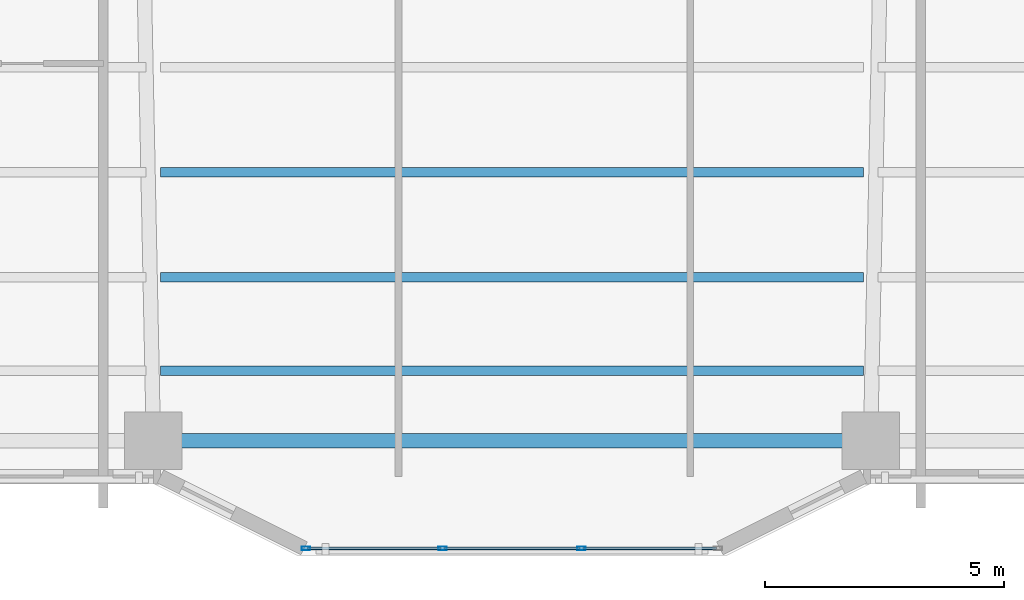
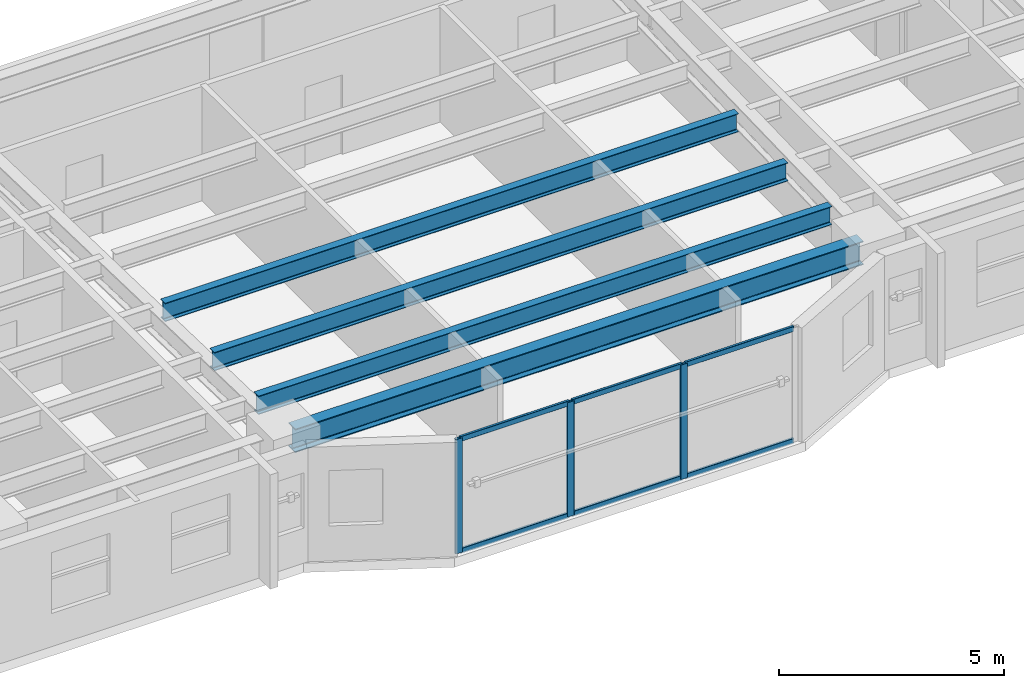
# One storey, part 2 of 20: 9 members, 4 beams, 1 element without a shape of its own.
"""IFC4 building model written with IfcOpenShell, lengths in metres."""

from ifc_helpers import new_model, si_unit, direction, frame, origin, origin_2d, place, context, subcontext, project, spatial, hollow_rectangle, i_section, extrude, material, layer, layer_set, material_profile, profile_set, type_object, element, aggregate, save


model = new_model("IFC4")

# Units and contexts
model_context = context("Model", 3, precision=1e-05, world=origin(), true_north=direction((0.0, 1.0)))
body_context = subcontext(model_context, "Body", "Model", "MODEL_VIEW")
ifc_project = project(units=[si_unit("LENGTHUNIT", "METRE"), si_unit("AREAUNIT", "SQUARE_METRE"), si_unit("VOLUMEUNIT", "CUBIC_METRE"), si_unit("PLANEANGLEUNIT", "RADIAN"), si_unit("MASSUNIT", "GRAM", prefix="KILO")], contexts=[model_context])

# Site, building, storey
site_placement = place(None, origin())
site = spatial("IfcSite", under=ifc_project, at=site_placement, CompositionType="ELEMENT")
building_placement = place(site_placement, origin())
building = spatial("IfcBuilding", under=site, at=building_placement, Name="Tarnavaz Court Tower", CompositionType="ELEMENT")
storey_placement = place(building_placement, frame((0.0, 0.0, 34.050048828125)))
storey = spatial("IfcBuildingStorey", under=building, at=storey_placement, Name="L08", CompositionType="ELEMENT", Elevation=34.050048828125)

# Beams
ifc_material_1 = material(Name="Steel S355", Category="steel")
ifc_material_profile_1 = material_profile(ifc_material_1, i_section(OverallWidth=0.199951171875, OverallDepth=0.5, WebThickness=0.01025390625, FlangeThickness=0.01611328125, FilletRadius=0.02099609375, at=origin_2d()), Name="IPE 500")
ifc_profile_set_1 = profile_set([ifc_material_profile_1], Name="Steel S355")
beam_type_1 = type_object("IfcBeamType", Name="BM-J-IPE500", PredefinedType="JOIST", material=ifc_profile_set_1)
for number, where, z_axis, x_axis, name in (
    (1, (-7.35009765625, -17.18798828125, 2.849853515625), (1.0, 0.0, 0.0), (0.0, 1.0, 0.0), "L08 Beam JS3-2"),
    (2, (-7.35009765625, -19.384033203125, 2.849853515625), (1.0, 0.0, 0.0), (0.0, 1.0, 0.0), "L08 Beam JS4-2"),
    (3, (-7.35009765625, -21.3359375, 2.849853515625), (1.0, 0.0, 0.0), (0.0, 1.0, 0.0), "L08 Beam JS5-2"),
):
    element("IfcBeam", number, at=place(storey_placement, frame(where, z_axis=z_axis, x_axis=x_axis)), inside=storey, type_object=beam_type_1, Name=name, PredefinedType="JOIST", context=body_context, shape_type="SweptSolid", body=[
        extrude(i_section(OverallWidth=0.199951171875, OverallDepth=0.5, WebThickness=0.01025390625, FlangeThickness=0.01611328125, FilletRadius=0.02099609375, at=origin_2d()), origin(), (0.0, 0.0, 1.0), 14.7001953125),
    ])
ifc_material_profile_2 = material_profile(ifc_material_1, i_section(OverallWidth=0.300048828125, OverallDepth=0.639892578125, WebThickness=0.013427734375, FlangeThickness=0.02587890625, FilletRadius=0.027099609375, at=origin_2d()), Name="HEA 650")
ifc_profile_set_2 = profile_set([ifc_material_profile_2], Name="Steel S355")
beam_type_2 = type_object("IfcBeamType", Name="BM-SP-HEA650", PredefinedType="SPANDREL", material=ifc_profile_set_2)
beam_placement = place(storey_placement, frame((-7.280029296875, -22.800048828125, 2.780029296875), z_axis=(1.0, 0.0, 0.0), x_axis=(0.0, 1.0, 0.0)))
element("IfcBeam", 4, at=beam_placement, inside=storey, type_object=beam_type_2, Name="L08 Beam PR-PS-2-PS-3", PredefinedType="SPANDREL", context=body_context, shape_type="SweptSolid", body=[
    extrude(i_section(OverallWidth=0.300048828125, OverallDepth=0.639892578125, WebThickness=0.013427734375, FlangeThickness=0.02587890625, FilletRadius=0.027099609375, at=origin_2d()), origin(), (0.0, 0.0, 1.0), 14.56005859375),
])

# Curtain wall, members
ifc_material_2 = material(Name="Anodised Aluminium 6063-T6 and Solar Low-E Glazing", Category="aluminium")
ifc_layer = layer(ifc_material_2, 0.179931640625)
ifc_layer_set = layer_set([ifc_layer], Name="Anodised Aluminium 6063-T6 and Solar Low-E Glazing")
curtain_wall_type = type_object("IfcCurtainWallType", Name="CW-SYS-02", PredefinedType="NOTDEFINED", material=ifc_layer_set)
curtain_wall_placement = place(storey_placement, origin())
curtain_wall = element("IfcCurtainWall", 5, at=curtain_wall_placement, inside=storey, type_object=curtain_wall_type, Name="L08 Iwan Prow Curtain Wall 17", PredefinedType="NOTDEFINED")
ifc_material_3 = material(Name="Anodised Aluminium 6063-T6", Category="aluminium")
ifc_material_profile_3 = material_profile(ifc_material_3, hollow_rectangle(XDim=0.074951171875, YDim=0.179931640625, WallThickness=0.0048828125, InnerFilletRadius=0.0048828125, OuterFilletRadius=0.010009765625, at=origin_2d()), Name="ALU RHS 180X75X5")
ifc_profile_set_3 = profile_set([ifc_material_profile_3], Name="Anodised Aluminium 6063-T6")
member_type_1 = type_object("IfcMemberType", Name="CW-MUL-180", PredefinedType="MULLION", material=ifc_profile_set_3)
member_1_placement = place(storey_placement, frame((1.449951171875, -25.050048828125, 0.0), z_axis=(0.0, 0.0, 1.0), x_axis=(0.0, -1.0, 0.0)))
member_1 = element("IfcMember", 6, at=member_1_placement, type_object=member_type_1, Name="CW mullion 2", PredefinedType="MULLION", context=body_context, shape_type="SweptSolid", body=[
    extrude(hollow_rectangle(XDim=0.074951171875, YDim=0.179931640625, WallThickness=0.0048828125, InnerFilletRadius=0.0048828125, OuterFilletRadius=0.010009765625, at=origin_2d()), origin(), (0.0, 0.0, 1.0), 3.099853515625),
])
member_2_placement = place(storey_placement, frame((-1.449951171875, -25.050048828125, 0.0), z_axis=(0.0, 0.0, 1.0), x_axis=(0.0, -1.0, 0.0)))
member_2 = element("IfcMember", 7, at=member_2_placement, type_object=member_type_1, Name="CW mullion 3", PredefinedType="MULLION", context=body_context, shape_type="SweptSolid", body=[
    extrude(hollow_rectangle(XDim=0.074951171875, YDim=0.179931640625, WallThickness=0.0048828125, InnerFilletRadius=0.0048828125, OuterFilletRadius=0.010009765625, at=origin_2d()), origin(), (0.0, 0.0, 1.0), 3.099853515625),
])
member_3_placement = place(storey_placement, frame((-4.3125, -25.050048828125, 0.0), z_axis=(0.0, 0.0, 1.0), x_axis=(0.0, -1.0, 0.0)))
member_3 = element("IfcMember", 8, at=member_3_placement, type_object=member_type_1, Name="CW mullion 4", PredefinedType="MULLION", context=body_context, shape_type="SweptSolid", body=[
    extrude(hollow_rectangle(XDim=0.074951171875, YDim=0.179931640625, WallThickness=0.0048828125, InnerFilletRadius=0.0048828125, OuterFilletRadius=0.010009765625, at=origin_2d()), origin(), (0.0, 0.0, 1.0), 3.099853515625),
])
ifc_material_profile_4 = material_profile(ifc_material_3, hollow_rectangle(XDim=0.06494140625, YDim=0.139892578125, WallThickness=0.00390625, InnerFilletRadius=0.00390625, OuterFilletRadius=0.008056640625, at=origin_2d()), Name="ALU RHS 140X65X4")
ifc_profile_set_4 = profile_set([ifc_material_profile_4], Name="Anodised Aluminium 6063-T6")
member_type_2 = type_object("IfcMemberType", Name="CW-TRN-140", PredefinedType="USERDEFINED", material=ifc_profile_set_4)
member_4_placement = place(storey_placement, frame((4.27490234375, -25.050048828125, 0.032470703125), z_axis=(-1.0, 0.0, 0.0), x_axis=(0.0, -1.0, 0.0)))
member_4 = element("IfcMember", 9, at=member_4_placement, type_object=member_type_2, Name="CW transom 1.1", ObjectType="TRANSOM", PredefinedType="USERDEFINED", context=body_context, shape_type="SweptSolid", body=[
    extrude(hollow_rectangle(XDim=0.06494140625, YDim=0.139892578125, WallThickness=0.00390625, InnerFilletRadius=0.00390625, OuterFilletRadius=0.008056640625, at=origin_2d()), origin(), (0.0, 0.0, 1.0), 2.787353515625),
])
member_5_placement = place(storey_placement, frame((4.27490234375, -25.050048828125, 3.0673828125), z_axis=(-1.0, 0.0, 0.0), x_axis=(0.0, -1.0, 0.0)))
member_5 = element("IfcMember", 10, at=member_5_placement, type_object=member_type_2, Name="CW transom 1.2", ObjectType="TRANSOM", PredefinedType="USERDEFINED", context=body_context, shape_type="SweptSolid", body=[
    extrude(hollow_rectangle(XDim=0.06494140625, YDim=0.139892578125, WallThickness=0.00390625, InnerFilletRadius=0.00390625, OuterFilletRadius=0.008056640625, at=origin_2d()), origin(), (0.0, 0.0, 1.0), 2.787353515625),
])
member_6_placement = place(storey_placement, frame((1.41259765625, -25.050048828125, 0.032470703125), z_axis=(-1.0, 0.0, 0.0), x_axis=(0.0, -1.0, 0.0)))
member_6 = element("IfcMember", 11, at=member_6_placement, type_object=member_type_2, Name="CW transom 2.1", ObjectType="TRANSOM", PredefinedType="USERDEFINED", context=body_context, shape_type="SweptSolid", body=[
    extrude(hollow_rectangle(XDim=0.06494140625, YDim=0.139892578125, WallThickness=0.00390625, InnerFilletRadius=0.00390625, OuterFilletRadius=0.008056640625, at=origin_2d()), origin(), (0.0, 0.0, 1.0), 2.8251953125),
])
member_7_placement = place(storey_placement, frame((1.41259765625, -25.050048828125, 3.0673828125), z_axis=(-1.0, 0.0, 0.0), x_axis=(0.0, -1.0, 0.0)))
member_7 = element("IfcMember", 12, at=member_7_placement, type_object=member_type_2, Name="CW transom 2.2", ObjectType="TRANSOM", PredefinedType="USERDEFINED", context=body_context, shape_type="SweptSolid", body=[
    extrude(hollow_rectangle(XDim=0.06494140625, YDim=0.139892578125, WallThickness=0.00390625, InnerFilletRadius=0.00390625, OuterFilletRadius=0.008056640625, at=origin_2d()), origin(), (0.0, 0.0, 1.0), 2.8251953125),
])
member_8_placement = place(storey_placement, frame((-1.487548828125, -25.050048828125, 0.032470703125), z_axis=(-1.0, 0.0, 0.0), x_axis=(0.0, -1.0, 0.0)))
member_8 = element("IfcMember", 13, at=member_8_placement, type_object=member_type_2, Name="CW transom 3.1", ObjectType="TRANSOM", PredefinedType="USERDEFINED", context=body_context, shape_type="SweptSolid", body=[
    extrude(hollow_rectangle(XDim=0.06494140625, YDim=0.139892578125, WallThickness=0.00390625, InnerFilletRadius=0.00390625, OuterFilletRadius=0.008056640625, at=origin_2d()), origin(), (0.0, 0.0, 1.0), 2.787353515625),
])
member_9_placement = place(storey_placement, frame((-1.487548828125, -25.050048828125, 3.0673828125), z_axis=(-1.0, 0.0, 0.0), x_axis=(0.0, -1.0, 0.0)))
member_9 = element("IfcMember", 14, at=member_9_placement, type_object=member_type_2, Name="CW transom 3.2", ObjectType="TRANSOM", PredefinedType="USERDEFINED", context=body_context, shape_type="SweptSolid", body=[
    extrude(hollow_rectangle(XDim=0.06494140625, YDim=0.139892578125, WallThickness=0.00390625, InnerFilletRadius=0.00390625, OuterFilletRadius=0.008056640625, at=origin_2d()), origin(), (0.0, 0.0, 1.0), 2.787353515625),
])
aggregate(curtain_wall, [member_1, member_2, member_3, member_4, member_5, member_6, member_7, member_8, member_9])

save(model, "model.ifc")
